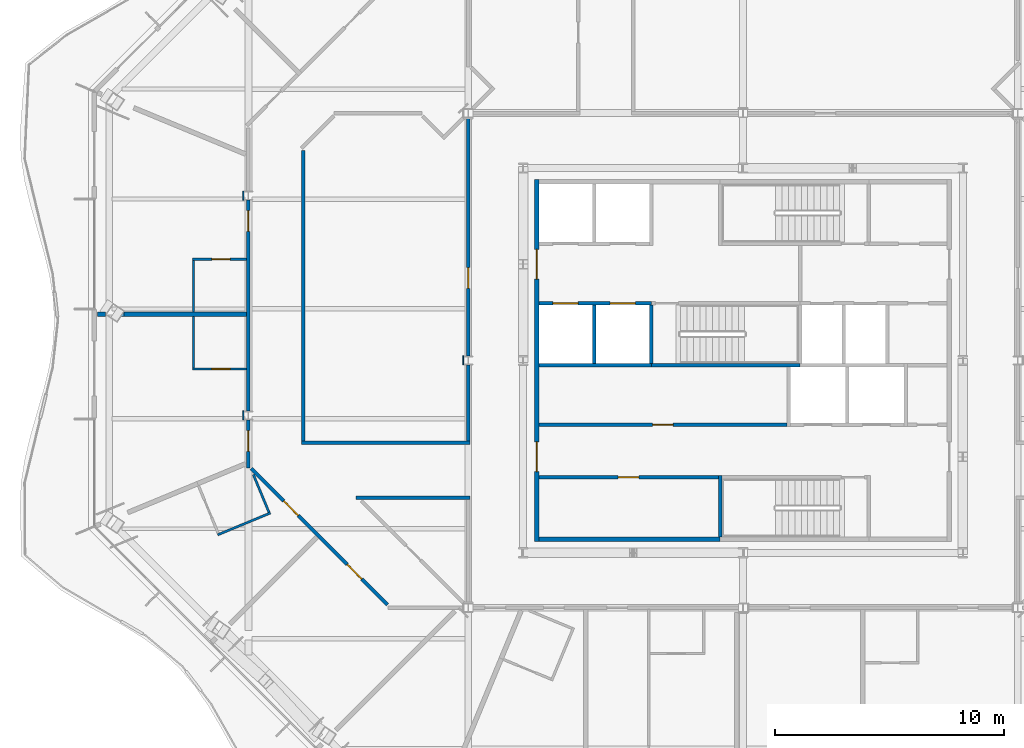
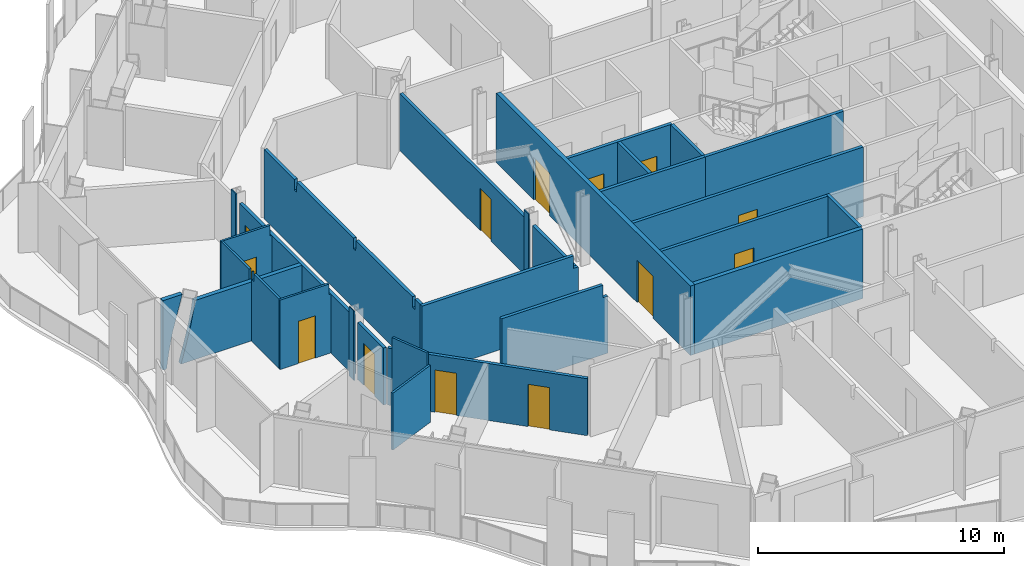
# One storey, part 8 of 22: 29 walls, 13 doors, 13 openings.
"""IFC4 building model written with IfcOpenShell, lengths in metres."""

from ifc_helpers import new_model, si_unit, direction, frame, frame_2d, origin, place, context, subcontext, project, spatial, polyline, rectangle, outline, extrude, material, layer, layer_set, type_object, element, fill, save


model = new_model("IFC4")

# Units and contexts
model_context = context("Model", 3, precision=1e-05, world=origin(), true_north=direction((0.0, 1.0)))
body_context = subcontext(model_context, "Body", "Model", "MODEL_VIEW")
ifc_project = project(units=[si_unit("LENGTHUNIT", "METRE"), si_unit("AREAUNIT", "SQUARE_METRE"), si_unit("VOLUMEUNIT", "CUBIC_METRE"), si_unit("PLANEANGLEUNIT", "RADIAN"), si_unit("MASSUNIT", "GRAM", prefix="KILO")], contexts=[model_context])

# Site, building, storey
site_placement = place(None, origin())
site = spatial("IfcSite", under=ifc_project, at=site_placement, CompositionType="ELEMENT")
building_placement = place(site_placement, origin())
building = spatial("IfcBuilding", under=site, at=building_placement, Name="Cairn Pilgrim Tower", CompositionType="ELEMENT")
storey_placement = place(building_placement, frame((0.0, 0.0, 175.800048828125)))
storey = spatial("IfcBuildingStorey", under=building, at=storey_placement, Name="L44", CompositionType="ELEMENT", Elevation=175.800048828125)

# Wall
ifc_material_1 = material(Name="Concrete C32/40", Category="concrete")
ifc_layer_1 = layer(ifc_material_1, 0.199951171875)
ifc_layer_set_1 = layer_set([ifc_layer_1], Name="CORE OUTER WALL 200 EI 120")
wall_type_1 = type_object("IfcWallType", Name="CORE OUTER WALL 200 EI 120", PredefinedType="SOLIDWALL", material=ifc_layer_set_1)
wall_1_placement = place(storey_placement, frame((-1.699951171875, -5.39990234375, 0.0), z_axis=(0.0, 0.0, 1.0), x_axis=(1.0, 0.0, 0.0)))
element("IfcWall", 1, at=wall_1_placement, inside=storey, type_object=wall_type_1, Name="CW:L44:H01-1", PredefinedType="SOLIDWALL", context=body_context, shape_type="SweptSolid", body=[
    extrude(rectangle(XDim=7.89990234375, YDim=0.199951171875, at=frame_2d((3.949951171875, 0.0))), origin(), (0.0, 0.0, 1.0), 3.449951171875),
])

# Wall, openings, doors
wall_2_placement = place(storey_placement, frame((-1.800048828125, -5.5, 0.0), z_axis=(0.0, 0.0, 1.0), x_axis=(0.0, 1.0, 0.0)))
wall_2 = element("IfcWall", 2, at=wall_2_placement, inside=storey, type_object=wall_type_1, Name="CW:L44:V13", PredefinedType="SOLIDWALL", context=body_context, shape_type="SweptSolid", body=[
    extrude(rectangle(XDim=15.800048828125, YDim=0.199951171875, at=frame_2d((7.89990234375, 0.0))), origin(), (0.0, 0.0, 1.0), 3.449951171875),
])
opening_1_placement = place(wall_2_placement, frame((3.050048828125, 0.0, 0.0)))
opening_1 = element("IfcOpeningElement", 3, at=opening_1_placement, cuts=wall_2, Name="Opening CD-W1", PredefinedType="OPENING", context=body_context, shape_type="SweptSolid", body=[
    extrude(rectangle(XDim=1.300048828125, YDim=2.10009765625, at=frame_2d((0.64990234375, 1.050048828125))), frame((0.0, 0.10986328125, 0.0), z_axis=(0.0, -1.0, 0.0), x_axis=(1.0, 0.0, 0.0)), (0.0, 0.0, 1.0), 0.219970703125),
])
opening_2_placement = place(wall_2_placement, frame((11.449951171875, 0.0, 0.0)))
opening_2 = element("IfcOpeningElement", 4, at=opening_2_placement, cuts=wall_2, Name="Opening CD-W2", PredefinedType="OPENING", context=body_context, shape_type="SweptSolid", body=[
    extrude(rectangle(XDim=1.300048828125, YDim=2.10009765625, at=frame_2d((0.64990234375, 1.050048828125))), frame((0.0, 0.10986328125, 0.0), z_axis=(0.0, -1.0, 0.0), x_axis=(1.0, 0.0, 0.0)), (0.0, 0.0, 1.0), 0.219970703125),
])
ifc_material_2 = material(Name="Painted steel", Category="steel")
door_type_1 = type_object("IfcDoorType", Name="CORE LOBBY DOOR 1300x2100", OperationType="DOUBLE_DOOR_SINGLE_SWING", PredefinedType="DOOR", material=ifc_material_2)
door_1_placement = place(opening_1_placement, origin())
door_1 = element("IfcDoor", 5, at=door_1_placement, inside=storey, type_object=door_type_1, Name="CD-W1", OperationType="DOUBLE_DOOR_SINGLE_SWING", OverallHeight=2.10009765625, OverallWidth=1.300048828125, PredefinedType="DOOR", context=body_context, shape_type="SweptSolid", body=[
    extrude(rectangle(XDim=1.300048828125, YDim=2.10009765625, at=frame_2d((0.64990234375, 1.050048828125))), frame((0.0, 0.02490234375, 0.0), z_axis=(0.0, -1.0, 0.0), x_axis=(1.0, 0.0, 0.0)), (0.0, 0.0, 1.0), 0.050048828125),
])
fill(opening_1, door_1)
door_2_placement = place(opening_2_placement, origin())
door_2 = element("IfcDoor", 6, at=door_2_placement, inside=storey, type_object=door_type_1, Name="CD-W2", OperationType="DOUBLE_DOOR_SINGLE_SWING", OverallHeight=2.10009765625, OverallWidth=1.300048828125, PredefinedType="DOOR", context=body_context, shape_type="SweptSolid", body=[
    extrude(rectangle(XDim=1.300048828125, YDim=2.10009765625, at=frame_2d((0.64990234375, 1.050048828125))), frame((0.0, 0.02490234375, 0.0), z_axis=(0.0, -1.0, 0.0), x_axis=(1.0, 0.0, 0.0)), (0.0, 0.0, 1.0), 0.050048828125),
])
fill(opening_2, door_2)

# Wall, opening, door
ifc_layer_2 = layer(ifc_material_1, 0.14990234375)
ifc_layer_set_2 = layer_set([ifc_layer_2], Name="CORE PARTITION 150 EI 60")
wall_type_2 = type_object("IfcWallType", Name="CORE PARTITION 150 EI 60", PredefinedType="PARTITIONING", material=ifc_layer_set_2)
wall_3_placement = place(storey_placement, frame((-1.699951171875, -2.699951171875, 0.0), z_axis=(0.0, 0.0, 1.0), x_axis=(1.0, 0.0, 0.0)))
wall_3 = element("IfcWall", 7, at=wall_3_placement, inside=storey, type_object=wall_type_2, Name="CW:L44:H02", PredefinedType="PARTITIONING", context=body_context, shape_type="SweptSolid", body=[
    extrude(rectangle(XDim=7.824951171875, YDim=0.14990234375, at=frame_2d((3.91259765625, 0.0))), origin(), (0.0, 0.0, 1.0), 3.449951171875),
])
opening_3_placement = place(wall_3_placement, frame((3.449951171875, 0.0, 0.0)))
opening_3 = element("IfcOpeningElement", 8, at=opening_3_placement, cuts=wall_3, Name="Opening RD-R1W1", PredefinedType="OPENING", context=body_context, shape_type="SweptSolid", body=[
    extrude(rectangle(XDim=0.89990234375, YDim=2.10009765625, at=frame_2d((0.449951171875, 1.050048828125))), frame((0.0, 0.0849609375, 0.0), z_axis=(0.0, -1.0, 0.0), x_axis=(1.0, 0.0, 0.0)), (0.0, 0.0, 1.0), 0.169921875),
])
door_type_2 = type_object("IfcDoorType", Name="SERVICE ROOM DOOR 900x2100", OperationType="SINGLE_SWING_LEFT", PredefinedType="DOOR", material=ifc_material_2)
door_3_placement = place(opening_3_placement, origin())
door_3 = element("IfcDoor", 9, at=door_3_placement, inside=storey, type_object=door_type_2, Name="RD-R1W1", OperationType="SINGLE_SWING_LEFT", OverallHeight=2.10009765625, OverallWidth=0.89990234375, PredefinedType="DOOR", context=body_context, shape_type="SweptSolid", body=[
    extrude(rectangle(XDim=0.89990234375, YDim=2.10009765625, at=frame_2d((0.449951171875, 1.050048828125))), frame((0.0, 0.02490234375, 0.0), z_axis=(0.0, -1.0, 0.0), x_axis=(1.0, 0.0, 0.0)), (0.0, 0.0, 1.0), 0.050048828125),
])
fill(opening_3, door_3)

wall_4_placement = place(storey_placement, frame((-1.699951171875, -0.39990234375, 0.0), z_axis=(0.0, 0.0, 1.0), x_axis=(1.0, 0.0, 0.0)))
wall_4 = element("IfcWall", 10, at=wall_4_placement, inside=storey, type_object=wall_type_2, Name="CW:L44:H04", PredefinedType="PARTITIONING", context=body_context, shape_type="SweptSolid", body=[
    extrude(rectangle(XDim=10.824951171875, YDim=0.14990234375, at=frame_2d((5.41259765625, 0.0))), origin(), (0.0, 0.0, 1.0), 3.449951171875),
])
opening_4_placement = place(wall_4_placement, frame((4.949951171875, 0.0, 0.0)))
opening_4 = element("IfcOpeningElement", 11, at=opening_4_placement, cuts=wall_4, Name="Opening RD-R2W1", PredefinedType="OPENING", context=body_context, shape_type="SweptSolid", body=[
    extrude(rectangle(XDim=0.89990234375, YDim=2.10009765625, at=frame_2d((0.449951171875, 1.050048828125))), frame((0.0, 0.0849609375, 0.0), z_axis=(0.0, -1.0, 0.0), x_axis=(1.0, 0.0, 0.0)), (0.0, 0.0, 1.0), 0.169921875),
])
door_4_placement = place(opening_4_placement, origin())
door_4 = element("IfcDoor", 12, at=door_4_placement, inside=storey, type_object=door_type_2, Name="RD-R2W1", OperationType="SINGLE_SWING_RIGHT", OverallHeight=2.10009765625, OverallWidth=0.89990234375, PredefinedType="DOOR", context=body_context, shape_type="SweptSolid", body=[
    extrude(rectangle(XDim=0.89990234375, YDim=2.10009765625, at=frame_2d((0.449951171875, 1.050048828125))), frame((0.0, 0.02490234375, 0.0), z_axis=(0.0, -1.0, 0.0), x_axis=(1.0, 0.0, 0.0)), (0.0, 0.0, 1.0), 0.050048828125),
])
fill(opening_4, door_4)

# Wall
ifc_layer_3 = layer(ifc_material_1, 0.14990234375)
ifc_layer_set_3 = layer_set([ifc_layer_3], Name="CORE SHAFT WALL 150 EI 120")
wall_type_3 = type_object("IfcWallType", Name="CORE SHAFT WALL 150 EI 120", PredefinedType="SOLIDWALL", material=ifc_layer_set_3)
wall_5_placement = place(storey_placement, frame((-1.699951171875, 2.199951171875, 0.0), z_axis=(0.0, 0.0, 1.0), x_axis=(1.0, 0.0, 0.0)))
element("IfcWall", 13, at=wall_5_placement, inside=storey, type_object=wall_type_3, Name="CW:L44:H07-1", PredefinedType="SOLIDWALL", context=body_context, shape_type="SweptSolid", body=[
    extrude(rectangle(XDim=4.89990234375, YDim=0.14990234375, at=frame_2d((2.449951171875, 0.0))), origin(), (0.0, 0.0, 1.0), 3.449951171875),
])

# Wall, openings, doors
wall_6_placement = place(storey_placement, frame((-1.699951171875, 4.89990234375, 0.0), z_axis=(0.0, 0.0, 1.0), x_axis=(1.0, 0.0, 0.0)))
wall_6 = element("IfcWall", 14, at=wall_6_placement, inside=storey, type_object=wall_type_3, Name="CW:L44:H09-1", PredefinedType="SOLIDWALL", context=body_context, shape_type="SweptSolid", body=[
    extrude(rectangle(XDim=4.89990234375, YDim=0.14990234375, at=frame_2d((2.449951171875, 0.0))), origin(), (0.0, 0.0, 1.0), 3.449951171875),
])
opening_5_placement = place(wall_6_placement, frame((0.60009765625, 0.0, 0.0)))
opening_5 = element("IfcOpeningElement", 15, at=opening_5_placement, cuts=wall_6, Name="Opening LD-HR1", PredefinedType="OPENING", context=body_context, shape_type="SweptSolid", body=[
    extrude(rectangle(XDim=1.10009765625, YDim=2.10009765625, at=frame_2d((0.550048828125, 1.050048828125))), frame((0.0, 0.0849609375, 0.0), z_axis=(0.0, -1.0, 0.0), x_axis=(1.0, 0.0, 0.0)), (0.0, 0.0, 1.0), 0.169921875),
])
opening_6_placement = place(wall_6_placement, frame((3.10009765625, 0.0, 0.0)))
opening_6 = element("IfcOpeningElement", 16, at=opening_6_placement, cuts=wall_6, Name="Opening LD-HR2", PredefinedType="OPENING", context=body_context, shape_type="SweptSolid", body=[
    extrude(rectangle(XDim=1.10009765625, YDim=2.10009765625, at=frame_2d((0.550048828125, 1.050048828125))), frame((0.0, 0.0849609375, 0.0), z_axis=(0.0, -1.0, 0.0), x_axis=(1.0, 0.0, 0.0)), (0.0, 0.0, 1.0), 0.169921875),
])
ifc_material_3 = material(Name="Stainless steel", Category="steel")
door_type_3 = type_object("IfcDoorType", Name="LIFT LANDING DOOR 1100x2100", OperationType="DOUBLE_DOOR_SLIDING", PredefinedType="DOOR", material=ifc_material_3)
door_5_placement = place(opening_5_placement, origin())
door_5 = element("IfcDoor", 17, at=door_5_placement, inside=storey, type_object=door_type_3, Name="LANDING DOOR HR1", OperationType="DOUBLE_DOOR_SLIDING", OverallHeight=2.10009765625, OverallWidth=1.10009765625, PredefinedType="DOOR", context=body_context, shape_type="SweptSolid", body=[
    extrude(rectangle(XDim=1.10009765625, YDim=2.10009765625, at=frame_2d((0.550048828125, 1.050048828125))), frame((0.0, 0.02490234375, 0.0), z_axis=(0.0, -1.0, 0.0), x_axis=(1.0, 0.0, 0.0)), (0.0, 0.0, 1.0), 0.050048828125),
])
fill(opening_5, door_5)
door_6_placement = place(opening_6_placement, origin())
door_6 = element("IfcDoor", 18, at=door_6_placement, inside=storey, type_object=door_type_3, Name="LANDING DOOR HR2", OperationType="DOUBLE_DOOR_SLIDING", OverallHeight=2.10009765625, OverallWidth=1.10009765625, PredefinedType="DOOR", context=body_context, shape_type="SweptSolid", body=[
    extrude(rectangle(XDim=1.10009765625, YDim=2.10009765625, at=frame_2d((0.550048828125, 1.050048828125))), frame((0.0, 0.02490234375, 0.0), z_axis=(0.0, -1.0, 0.0), x_axis=(1.0, 0.0, 0.0)), (0.0, 0.0, 1.0), 0.050048828125),
])
fill(opening_6, door_6)

# Walls
wall_7_placement = place(storey_placement, frame((0.699951171875, 2.27490234375, 0.0), z_axis=(0.0, 0.0, 1.0), x_axis=(0.0, 1.0, 0.0)))
element("IfcWall", 19, at=wall_7_placement, inside=storey, type_object=wall_type_3, Name="CW:L44:V14", PredefinedType="SOLIDWALL", context=body_context, shape_type="SweptSolid", body=[
    extrude(rectangle(XDim=2.550048828125, YDim=0.14990234375, at=frame_2d((1.27490234375, 0.0))), origin(), (0.0, 0.0, 1.0), 3.449951171875),
])
ifc_material_4 = material(Name="Gypsum partition")
ifc_layer_4 = layer(ifc_material_4, 0.10009765625)
ifc_layer_set_4 = layer_set([ifc_layer_4], Name="PARTITION 100 DRYWALL")
wall_type_4 = type_object("IfcWallType", Name="PARTITION 100 DRYWALL", PredefinedType="PARTITIONING", material=ifc_layer_set_4)
wall_8_placement = place(storey_placement, frame((-15.7451171875, -5.216064453125, 0.0), z_axis=(0.0, 0.0, 1.0), x_axis=(0.923777505624, 0.38292965425, 0.0)))
element("IfcWall", 20, at=wall_8_placement, inside=storey, type_object=wall_type_4, Name="PARTITION W032", PredefinedType="PARTITIONING", context=body_context, shape_type="SweptSolid", body=[
    extrude(rectangle(XDim=2.499755859375, YDim=0.10009765625, at=frame_2d((1.25, 0.0))), origin(), (0.0, 0.0, 1.0), 2.829833984375),
])
wall_9_placement = place(storey_placement, frame((-13.501220703125, -4.231689453125, 0.0), z_axis=(0.0, 0.0, 1.0), x_axis=(-0.382528764213, 0.923943582991, 0.0)))
element("IfcWall", 21, at=wall_9_placement, inside=storey, type_object=wall_type_4, Name="PARTITION W037", PredefinedType="PARTITIONING", context=body_context, shape_type="SweptSolid", body=[
    extrude(rectangle(XDim=1.787109375, YDim=0.10009765625, at=frame_2d((0.8935546875, 0.0))), origin(), (0.0, 0.0, 1.0), 3.449951171875),
])

# Wall, opening, door
wall_10_placement = place(storey_placement, frame((-16.85009765625, 2.02490234375, 0.0), z_axis=(0.0, 0.0, 1.0), x_axis=(1.0, 0.0, 0.0)))
wall_10 = element("IfcWall", 22, at=wall_10_placement, inside=storey, type_object=wall_type_4, Name="PARTITION W054", PredefinedType="PARTITIONING", context=body_context, shape_type="SweptSolid", body=[
    extrude(outline(polyline([(0.0, 0.0), (2.375, 0.0), (2.375, 2.929931640625), (2.300048828125, 2.929931640625), (2.298095703125, 3.449951171875), (0.0, 3.449951171875), (0.0, 0.0)])), frame((0.0, 0.050048828125, 0.0), z_axis=(0.0, -1.0, 0.0), x_axis=(1.0, 0.0, 0.0)), (0.0, 0.0, 1.0), 0.10009765625),
])
opening_7_placement = place(wall_10_placement, frame((0.85009765625, 0.0, 0.0)))
opening_7 = element("IfcOpeningElement", 23, at=opening_7_placement, cuts=wall_10, Name="Opening 4417A", PredefinedType="OPENING", context=body_context, shape_type="SweptSolid", body=[
    extrude(rectangle(XDim=0.800048828125, YDim=2.10009765625, at=frame_2d((0.39990234375, 1.050048828125))), frame((0.0, 0.06005859375, 0.0), z_axis=(0.0, -1.0, 0.0), x_axis=(1.0, 0.0, 0.0)), (0.0, 0.0, 1.0), 0.1201171875),
])
ifc_material_5 = material(Name="Timber door leaf", Category="wood")
door_type_4 = type_object("IfcDoorType", Name="WC DOOR 800x2100", OperationType="NOTDEFINED", PredefinedType="DOOR", material=ifc_material_5)
door_7_placement = place(opening_7_placement, frame((0.800048828125, 0.0, 0.0), z_axis=(0.0, 0.0, 1.0), x_axis=(-1.0, 0.0, 0.0)))
door_7 = element("IfcDoor", 24, at=door_7_placement, inside=storey, type_object=door_type_4, Name="DOOR 4417A", OperationType="SINGLE_SWING_LEFT", OverallHeight=2.10009765625, OverallWidth=0.800048828125, PredefinedType="DOOR", context=body_context, shape_type="SweptSolid", body=[
    extrude(rectangle(XDim=0.800048828125, YDim=2.10009765625, at=frame_2d((0.39990234375, 1.050048828125))), frame((0.0, 0.02490234375, 0.0), z_axis=(0.0, -1.0, 0.0), x_axis=(1.0, 0.0, 0.0)), (0.0, 0.0, 1.0), 0.050048828125),
])
fill(opening_7, door_7)

# Walls
wall_11_placement = place(storey_placement, frame((-16.800048828125, 2.074951171875, 0.0), z_axis=(0.0, 0.0, 1.0), x_axis=(0.0, 1.0, 0.0)))
element("IfcWall", 25, at=wall_11_placement, inside=storey, type_object=wall_type_4, Name="PARTITION W055", PredefinedType="PARTITIONING", context=body_context, shape_type="SweptSolid", body=[
    extrude(outline(polyline([(0.0, 0.0), (2.25, 0.0), (2.25, 3.449951171875), (2.2099609375, 3.449951171875), (2.2080078125, 3.070068359375), (2.0400390625, 3.070068359375), (2.0380859375, 3.449951171875), (0.0, 3.449951171875), (0.0, 0.0)])), frame((0.0, 0.050048828125, 0.0), z_axis=(0.0, -1.0, 0.0), x_axis=(1.0, 0.0, 0.0)), (0.0, 0.0, 1.0), 0.10009765625),
])
wall_12_placement = place(storey_placement, frame((-16.800048828125, 4.52490234375, 0.0), z_axis=(0.0, 0.0, 1.0), x_axis=(0.0, 1.0, 0.0)))
element("IfcWall", 26, at=wall_12_placement, inside=storey, type_object=wall_type_4, Name="PARTITION W061", PredefinedType="PARTITIONING", context=body_context, shape_type="SweptSolid", body=[
    extrude(rectangle(XDim=2.25, YDim=0.10009765625, at=frame_2d((1.125, 0.0))), origin(), (0.0, 0.0, 1.0), 3.449951171875),
])

# Wall, opening, door
wall_13_placement = place(storey_placement, frame((-16.85009765625, 6.824951171875, 0.0), z_axis=(0.0, 0.0, 1.0), x_axis=(1.0, 0.0, 0.0)))
wall_13 = element("IfcWall", 27, at=wall_13_placement, inside=storey, type_object=wall_type_4, Name="PARTITION W065", PredefinedType="PARTITIONING", context=body_context, shape_type="SweptSolid", body=[
    extrude(outline(polyline([(0.0, 0.0), (2.375, 0.0), (2.375, 2.929931640625), (2.300048828125, 2.929931640625), (2.298095703125, 3.449951171875), (0.0, 3.449951171875), (0.0, 0.0)])), frame((0.0, 0.050048828125, 0.0), z_axis=(0.0, -1.0, 0.0), x_axis=(1.0, 0.0, 0.0)), (0.0, 0.0, 1.0), 0.10009765625),
])
opening_8_placement = place(wall_13_placement, frame((0.85009765625, 0.0, 0.0)))
opening_8 = element("IfcOpeningElement", 28, at=opening_8_placement, cuts=wall_13, Name="Opening 4416A", PredefinedType="OPENING", context=body_context, shape_type="SweptSolid", body=[
    extrude(rectangle(XDim=0.800048828125, YDim=2.10009765625, at=frame_2d((0.39990234375, 1.050048828125))), frame((0.0, 0.06005859375, 0.0), z_axis=(0.0, -1.0, 0.0), x_axis=(1.0, 0.0, 0.0)), (0.0, 0.0, 1.0), 0.1201171875),
])
door_8_placement = place(opening_8_placement, origin())
door_8 = element("IfcDoor", 29, at=door_8_placement, inside=storey, type_object=door_type_4, Name="DOOR 4416A", OperationType="SINGLE_SWING_LEFT", OverallHeight=2.10009765625, OverallWidth=0.800048828125, PredefinedType="DOOR", context=body_context, shape_type="SweptSolid", body=[
    extrude(rectangle(XDim=0.800048828125, YDim=2.10009765625, at=frame_2d((0.39990234375, 1.050048828125))), frame((0.0, 0.02490234375, 0.0), z_axis=(0.0, -1.0, 0.0), x_axis=(1.0, 0.0, 0.0)), (0.0, 0.0, 1.0), 0.050048828125),
])
fill(opening_8, door_8)

# Wall, openings, doors
ifc_layer_5 = layer(ifc_material_4, 0.14990234375)
ifc_layer_set_5 = layer_set([ifc_layer_5], Name="PARTITION 150 DRYWALL EI 60")
wall_type_5 = type_object("IfcWallType", Name="PARTITION 150 DRYWALL EI 60", PredefinedType="PARTITIONING", material=ifc_layer_set_5)
wall_14_placement = place(storey_placement, frame((-8.322021484375, -8.27197265625, 0.0), z_axis=(0.0, 0.0, 1.0), x_axis=(-0.707106781187, 0.707106781187, 0.0)))
wall_14 = element("IfcWall", 30, at=wall_14_placement, inside=storey, type_object=wall_type_5, Name="PARTITION W024", PredefinedType="PARTITIONING", context=body_context, shape_type="SweptSolid", body=[
    extrude(rectangle(XDim=8.41455078125, YDim=0.14990234375, at=frame_2d((4.207275390625, 0.0))), origin(), (0.0, 0.0, 1.0), 2.829833984375),
])
opening_9_placement = place(wall_14_placement, frame((5.51513671875, 0.0, 0.0)))
opening_9 = element("IfcOpeningElement", 31, at=opening_9_placement, cuts=wall_14, Name="Opening 4418", PredefinedType="OPENING", context=body_context, shape_type="SweptSolid", body=[
    extrude(rectangle(XDim=0.89990234375, YDim=2.10009765625, at=frame_2d((0.449951171875, 1.050048828125))), frame((0.0, 0.0849609375, 0.0), z_axis=(0.0, -1.0, 0.0), x_axis=(1.0, 0.0, 0.0)), (0.0, 0.0, 1.0), 0.169921875),
])
opening_10_placement = place(wall_14_placement, frame((1.593994140625, 0.0, 0.0)))
opening_10 = element("IfcOpeningElement", 32, at=opening_10_placement, cuts=wall_14, Name="Opening 4419", PredefinedType="OPENING", context=body_context, shape_type="SweptSolid", body=[
    extrude(rectangle(XDim=0.89990234375, YDim=2.10009765625, at=frame_2d((0.449951171875, 1.050048828125))), frame((0.0, 0.0849609375, 0.0), z_axis=(0.0, -1.0, 0.0), x_axis=(1.0, 0.0, 0.0)), (0.0, 0.0, 1.0), 0.169921875),
])
door_type_5 = type_object("IfcDoorType", Name="ROOM DOOR 900x2100 FD30S", OperationType="NOTDEFINED", PredefinedType="DOOR", material=ifc_material_5)
door_9_placement = place(opening_9_placement, origin())
door_9 = element("IfcDoor", 33, at=door_9_placement, inside=storey, type_object=door_type_5, Name="DOOR 4418", OperationType="SINGLE_SWING_LEFT", OverallHeight=2.10009765625, OverallWidth=0.89990234375, PredefinedType="DOOR", context=body_context, shape_type="SweptSolid", body=[
    extrude(rectangle(XDim=0.89990234375, YDim=2.10009765625, at=frame_2d((0.449951171875, 1.050048828125))), frame((0.0, 0.02490234375, 0.0), z_axis=(0.0, -1.0, 0.0), x_axis=(1.0, 0.0, 0.0)), (0.0, 0.0, 1.0), 0.050048828125),
])
fill(opening_9, door_9)
door_type_6 = type_object("IfcDoorType", Name="SERVICE DOOR 900x2100 FD30S", OperationType="NOTDEFINED", PredefinedType="DOOR", material=ifc_material_5)
door_10_placement = place(opening_10_placement, origin())
door_10 = element("IfcDoor", 34, at=door_10_placement, inside=storey, type_object=door_type_6, Name="DOOR 4419", OperationType="SINGLE_SWING_LEFT", OverallHeight=2.10009765625, OverallWidth=0.89990234375, PredefinedType="DOOR", context=body_context, shape_type="SweptSolid", body=[
    extrude(rectangle(XDim=0.89990234375, YDim=2.10009765625, at=frame_2d((0.449951171875, 1.050048828125))), frame((0.0, 0.02490234375, 0.0), z_axis=(0.0, -1.0, 0.0), x_axis=(1.0, 0.0, 0.0)), (0.0, 0.0, 1.0), 0.050048828125),
])
fill(opening_10, door_10)

# Wall
wall_15_placement = place(storey_placement, frame((-9.7060546875, -3.60009765625, 0.0), z_axis=(0.0, 0.0, 1.0), x_axis=(1.0, 0.0, 0.0)))
element("IfcWall", 35, at=wall_15_placement, inside=storey, type_object=wall_type_5, Name="PARTITION W038", PredefinedType="PARTITIONING", context=body_context, shape_type="SweptSolid", body=[
    extrude(outline(polyline([(0.0, 0.0), (4.98095703125, 0.0), (4.981201171875, 2.829833984375), (4.756103515625, 2.829833984375), (4.754150390625, 3.449951171875), (0.0, 3.449951171875), (0.0, 0.0)])), frame((0.0, 0.074951171875, 0.0), z_axis=(0.0, -1.0, 0.0), x_axis=(1.0, 0.0, 0.0)), (0.0, 0.0, 1.0), 0.14990234375),
])

# Wall, opening, door
wall_16_placement = place(storey_placement, frame((-14.39990234375, -2.300048828125, 0.0), z_axis=(0.0, 0.0, 1.0), x_axis=(0.0, 1.0, 0.0)))
wall_16 = element("IfcWall", 36, at=wall_16_placement, inside=storey, type_object=wall_type_5, Name="PARTITION W041", PredefinedType="PARTITIONING", context=body_context, shape_type="SweptSolid", body=[
    extrude(rectangle(XDim=2.103515625, YDim=0.14990234375, at=frame_2d((1.0517578125, 0.0))), origin(), (0.0, 0.0, 1.0), 2.829833984375),
])
opening_11_placement = place(wall_16_placement, frame((0.732177734375, 0.0, 0.0)))
opening_11 = element("IfcOpeningElement", 37, at=opening_11_placement, cuts=wall_16, Name="Opening 4417", PredefinedType="OPENING", context=body_context, shape_type="SweptSolid", body=[
    extrude(rectangle(XDim=0.89990234375, YDim=2.10009765625, at=frame_2d((0.449951171875, 1.050048828125))), frame((0.0, 0.0849609375, 0.0), z_axis=(0.0, -1.0, 0.0), x_axis=(1.0, 0.0, 0.0)), (0.0, 0.0, 1.0), 0.169921875),
])
door_11_placement = place(opening_11_placement, origin())
door_11 = element("IfcDoor", 38, at=door_11_placement, inside=storey, type_object=door_type_5, Name="DOOR 4417", OperationType="SINGLE_SWING_LEFT", OverallHeight=2.10009765625, OverallWidth=0.89990234375, PredefinedType="DOOR", context=body_context, shape_type="SweptSolid", body=[
    extrude(rectangle(XDim=0.89990234375, YDim=2.10009765625, at=frame_2d((0.449951171875, 1.050048828125))), frame((0.0, 0.02490234375, 0.0), z_axis=(0.0, -1.0, 0.0), x_axis=(1.0, 0.0, 0.0)), (0.0, 0.0, 1.0), 0.050048828125),
])
fill(opening_11, door_11)

# Walls
wall_17_placement = place(storey_placement, frame((-12.074951171875, -1.199951171875, 0.0), z_axis=(0.0, 0.0, 1.0), x_axis=(1.0, 0.0, 0.0)))
element("IfcWall", 39, at=wall_17_placement, inside=storey, type_object=wall_type_5, Name="PARTITION W042", PredefinedType="PARTITIONING", context=body_context, shape_type="SweptSolid", body=[
    extrude(outline(polyline([(0.0, 0.0), (7.349853515625, 0.0), (7.35009765625, 2.829833984375), (7.125, 2.829833984375), (7.123046875, 3.449951171875), (0.0, 3.449951171875), (0.0, 0.0)])), frame((0.0, 0.074951171875, 0.0), z_axis=(0.0, -1.0, 0.0), x_axis=(1.0, 0.0, 0.0)), (0.0, 0.0, 1.0), 0.14990234375),
])
wall_18_placement = place(storey_placement, frame((-12.0, -1.125, 0.0), z_axis=(0.0, 0.0, 1.0), x_axis=(0.0, 1.0, 0.0)))
element("IfcWall", 40, at=wall_18_placement, inside=storey, type_object=wall_type_5, Name="PARTITION W044", PredefinedType="PARTITIONING", context=body_context, shape_type="SweptSolid", body=[
    extrude(outline(polyline([(0.0, 0.0), (12.68994140625, 0.0), (12.68994140625, 3.449951171875), (10.22509765625, 3.449951171875), (10.222900390625, 2.929931640625), (10.02490234375, 2.929931640625), (10.02294921875, 3.449951171875), (5.425048828125, 3.449951171875), (5.423095703125, 2.929931640625), (5.22509765625, 2.929931640625), (5.222900390625, 3.449951171875), (0.625, 3.449951171875), (0.623046875, 2.929931640625), (0.425048828125, 2.929931640625), (0.423095703125, 3.449951171875), (0.0, 3.449951171875), (0.0, 0.0)])), frame((0.0, 0.074951171875, 0.0), z_axis=(0.0, -1.0, 0.0), x_axis=(1.0, 0.0, 0.0)), (0.0, 0.0, 1.0), 0.14990234375),
])
wall_19_placement = place(storey_placement, frame((-4.800048828125, -1.125, 0.0), z_axis=(0.0, 0.0, 1.0), x_axis=(0.0, 1.0, 0.0)))
element("IfcWall", 41, at=wall_19_placement, inside=storey, type_object=wall_type_5, Name="PARTITION W045", PredefinedType="PARTITIONING", context=body_context, shape_type="SweptSolid", body=[
    extrude(rectangle(XDim=3.32861328125, YDim=0.14990234375, at=frame_2d((1.664306640625, 0.0))), origin(), (0.0, 0.0, 1.0), 2.829833984375),
])

# Wall, opening, door
wall_20_placement = place(storey_placement, frame((-14.39990234375, 0.196533203125, 0.0), z_axis=(0.0, 0.0, 1.0), x_axis=(0.0, 1.0, 0.0)))
wall_20 = element("IfcWall", 42, at=wall_20_placement, inside=storey, type_object=wall_type_5, Name="PARTITION W049", PredefinedType="PARTITIONING", context=body_context, shape_type="SweptSolid", body=[
    extrude(rectangle(XDim=9.20703125, YDim=0.14990234375, at=frame_2d((4.603515625, 0.0))), origin(), (0.0, 0.0, 1.0), 2.929931640625),
])
opening_12_placement = place(wall_20_placement, frame((7.846435546875, 0.0, 0.0)))
opening_12 = element("IfcOpeningElement", 43, at=opening_12_placement, cuts=wall_20, Name="Opening 4416", PredefinedType="OPENING", context=body_context, shape_type="SweptSolid", body=[
    extrude(rectangle(XDim=0.89990234375, YDim=2.10009765625, at=frame_2d((0.449951171875, 1.050048828125))), frame((0.0, 0.0849609375, 0.0), z_axis=(0.0, -1.0, 0.0), x_axis=(1.0, 0.0, 0.0)), (0.0, 0.0, 1.0), 0.169921875),
])
door_12_placement = place(opening_12_placement, origin())
door_12 = element("IfcDoor", 44, at=door_12_placement, inside=storey, type_object=door_type_5, Name="DOOR 4416", OperationType="SINGLE_SWING_LEFT", OverallHeight=2.10009765625, OverallWidth=0.89990234375, PredefinedType="DOOR", context=body_context, shape_type="SweptSolid", body=[
    extrude(rectangle(XDim=0.89990234375, YDim=2.10009765625, at=frame_2d((0.449951171875, 1.050048828125))), frame((0.0, 0.02490234375, 0.0), z_axis=(0.0, -1.0, 0.0), x_axis=(1.0, 0.0, 0.0)), (0.0, 0.0, 1.0), 0.050048828125),
])
fill(opening_12, door_12)

wall_21_placement = place(storey_placement, frame((-4.800048828125, 2.596435546875, 0.0), z_axis=(0.0, 0.0, 1.0), x_axis=(0.0, 1.0, 0.0)))
wall_21 = element("IfcWall", 45, at=wall_21_placement, inside=storey, type_object=wall_type_5, Name="PARTITION W056", PredefinedType="PARTITIONING", context=body_context, shape_type="SweptSolid", body=[
    extrude(rectangle(XDim=10.406982421875, YDim=0.14990234375, at=frame_2d((5.20361328125, 0.0))), origin(), (0.0, 0.0, 1.0), 2.829833984375),
])
opening_13_placement = place(wall_21_placement, frame((2.95361328125, 0.0, 0.0)))
opening_13 = element("IfcOpeningElement", 46, at=opening_13_placement, cuts=wall_21, Name="Opening 4429", PredefinedType="OPENING", context=body_context, shape_type="SweptSolid", body=[
    extrude(rectangle(XDim=0.89990234375, YDim=2.10009765625, at=frame_2d((0.449951171875, 1.050048828125))), frame((0.0, 0.0849609375, 0.0), z_axis=(0.0, -1.0, 0.0), x_axis=(1.0, 0.0, 0.0)), (0.0, 0.0, 1.0), 0.169921875),
])
door_13_placement = place(opening_13_placement, origin())
door_13 = element("IfcDoor", 47, at=door_13_placement, inside=storey, type_object=door_type_6, Name="DOOR 4429", OperationType="SINGLE_SWING_RIGHT", OverallHeight=2.10009765625, OverallWidth=0.89990234375, PredefinedType="DOOR", context=body_context, shape_type="SweptSolid", body=[
    extrude(rectangle(XDim=0.89990234375, YDim=2.10009765625, at=frame_2d((0.449951171875, 1.050048828125))), frame((0.0, 0.02490234375, 0.0), z_axis=(0.0, -1.0, 0.0), x_axis=(1.0, 0.0, 0.0)), (0.0, 0.0, 1.0), 0.050048828125),
])
fill(opening_13, door_13)

# Walls
ifc_layer_6 = layer(ifc_material_4, 0.050048828125)
ifc_layer_set_6 = layer_set([ifc_layer_6], Name="PARTITION 50 DRYWALL EI 60")
wall_type_6 = type_object("IfcWallType", Name="PARTITION 50 DRYWALL EI 60", PredefinedType="PARTITIONING", material=ifc_layer_set_6)
wall_22_placement = place(storey_placement, frame((-14.62451171875, -0.196533203125, 0.0), z_axis=(0.0, 0.0, 1.0), x_axis=(0.0, 1.0, 0.0)))
element("IfcWall", 48, at=wall_22_placement, inside=storey, type_object=wall_type_6, Name="COLUMN CASING WC21", PredefinedType="PARTITIONING", context=body_context, shape_type="SweptSolid", body=[
    extrude(rectangle(XDim=0.39306640625, YDim=0.050048828125, at=frame_2d((0.196533203125, 0.0))), origin(), (0.0, 0.0, 1.0), 3.449951171875),
])
for number, where, z_axis, x_axis, name in (
    (49, (-14.62451171875, 9.403564453125, 0.0), (0.0, 0.0, 1.0), (0.0, 1.0, 0.0), "COLUMN CASING WC22"),
    (50, (-5.0244140625, 2.20361328125, 0.0), (0.0, 0.0, 1.0), (0.0, 1.0, 0.0), "COLUMN CASING WC23"),
):
    element("IfcWall", number, at=place(storey_placement, frame(where, z_axis=z_axis, x_axis=x_axis)), inside=storey, type_object=wall_type_6, Name=name, PredefinedType="PARTITIONING", context=body_context, shape_type="SweptSolid", body=[
        extrude(rectangle(XDim=0.392822265625, YDim=0.050048828125, at=frame_2d((0.1962890625, 0.0))), origin(), (0.0, 0.0, 1.0), 3.449951171875),
    ])
ifc_layer_7 = layer(ifc_material_4, 0.199951171875)
ifc_layer_set_7 = layer_set([ifc_layer_7], Name="SHAFT WALL 200 GYPSUM EI 60")
wall_type_7 = type_object("IfcWallType", Name="SHAFT WALL 200 GYPSUM EI 60", PredefinedType="PARTITIONING", material=ifc_layer_set_7)
wall_23_placement = place(storey_placement, frame((-20.9951171875, 4.425048828125, 0.0), z_axis=(0.0, 0.0, 1.0), x_axis=(1.0, 0.0, 0.0)))
element("IfcWall", 51, at=wall_23_placement, inside=storey, type_object=wall_type_7, Name="PARTITION W058", PredefinedType="PARTITIONING", context=body_context, shape_type="SweptSolid", body=[
    extrude(outline(polyline([(0.0, 0.0), (0.16650390625, 0.0), (0.28759765625, 0.862548828125), (0.44921875, 1.724853515625), (0.675048828125, 2.58740234375), (0.90869140625, 3.449951171875), (0.0, 3.449951171875), (0.0, 2.58740234375), (0.0, 1.724853515625), (0.0, 0.862548828125), (0.0, 0.0)])), frame((0.0, 0.10009765625, 0.0), z_axis=(0.0, -1.0, 0.0), x_axis=(1.0, 0.0, 0.0)), (0.0, 0.0, 1.0), 0.199951171875),
])
wall_24_placement = place(storey_placement, frame((-20.148193359375, 4.425048828125, 0.0), z_axis=(0.0, 0.0, 1.0), x_axis=(1.0, 0.0, 0.0)))
element("IfcWall", 52, at=wall_24_placement, inside=storey, type_object=wall_type_7, Name="PARTITION W059", PredefinedType="PARTITIONING", context=body_context, shape_type="SweptSolid", body=[
    extrude(outline(polyline([(0.0, 0.0), (5.673095703125, 0.0), (5.673095703125, 0.862548828125), (5.673095703125, 1.724853515625), (5.673095703125, 2.58740234375), (5.673095703125, 2.929931640625), (0.6455078125, 2.929931640625), (0.608642578125, 2.58740234375), (0.447021484375, 1.724853515625), (0.233642578125, 0.862548828125), (0.0, 0.0)])), frame((0.0, 0.10009765625, 0.0), z_axis=(0.0, -1.0, 0.0), x_axis=(1.0, 0.0, 0.0)), (0.0, 0.0, 1.0), 0.199951171875),
])
ifc_material_6 = material(Name="Concrete C35/45", Category="concrete")
ifc_layer_8 = layer(ifc_material_6, 0.14990234375)
ifc_layer_set_8 = layer_set([ifc_layer_8], Name="STAIR SHAFT WALL 150 EI 120")
wall_type_8 = type_object("IfcWallType", Name="STAIR SHAFT WALL 150 EI 120", PredefinedType="SOLIDWALL", material=ifc_layer_set_8)
wall_25_placement = place(storey_placement, frame((3.199951171875, 2.199951171875, 0.0), z_axis=(0.0, 0.0, 1.0), x_axis=(1.0, 0.0, 0.0)))
element("IfcWall", 53, at=wall_25_placement, inside=storey, type_object=wall_type_8, Name="CW:L44:H07-2", PredefinedType="SOLIDWALL", context=body_context, shape_type="SweptSolid", body=[
    extrude(rectangle(XDim=6.5, YDim=0.14990234375, at=frame_2d((3.25, 0.0))), origin(), (0.0, 0.0, 1.0), 3.449951171875),
])
wall_26_placement = place(storey_placement, frame((3.199951171875, 2.27490234375, 0.0), z_axis=(0.0, 0.0, 1.0), x_axis=(0.0, 1.0, 0.0)))
element("IfcWall", 54, at=wall_26_placement, inside=storey, type_object=wall_type_8, Name="CW:L44:V16", PredefinedType="SOLIDWALL", context=body_context, shape_type="SweptSolid", body=[
    extrude(rectangle(XDim=2.550048828125, YDim=0.14990234375, at=frame_2d((1.27490234375, 0.0))), origin(), (0.0, 0.0, 1.0), 3.449951171875),
])
wall_27_placement = place(storey_placement, frame((6.199951171875, -5.300048828125, 0.0), z_axis=(0.0, 0.0, 1.0), x_axis=(0.0, 1.0, 0.0)))
element("IfcWall", 55, at=wall_27_placement, inside=storey, type_object=wall_type_8, Name="CW:L44:V18", PredefinedType="SOLIDWALL", context=body_context, shape_type="SweptSolid", body=[
    extrude(rectangle(XDim=2.675048828125, YDim=0.14990234375, at=frame_2d((1.33740234375, 0.0))), origin(), (0.0, 0.0, 1.0), 3.449951171875),
])

save(model, "model.ifc")
